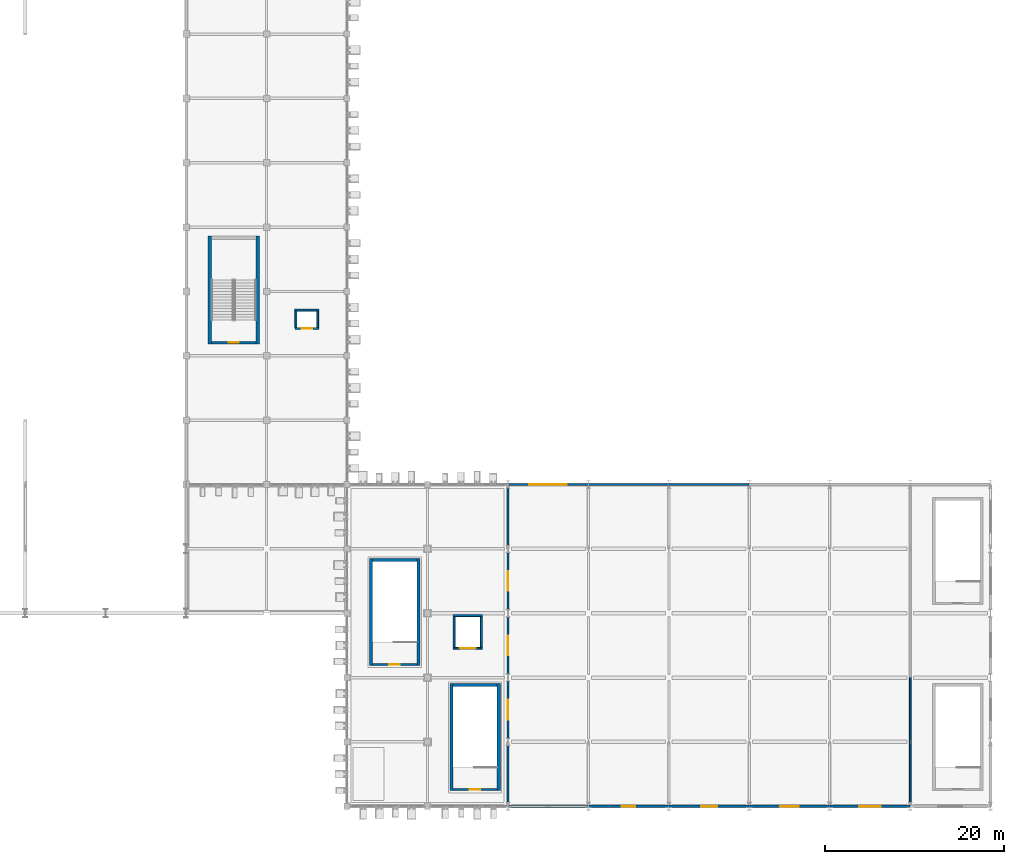
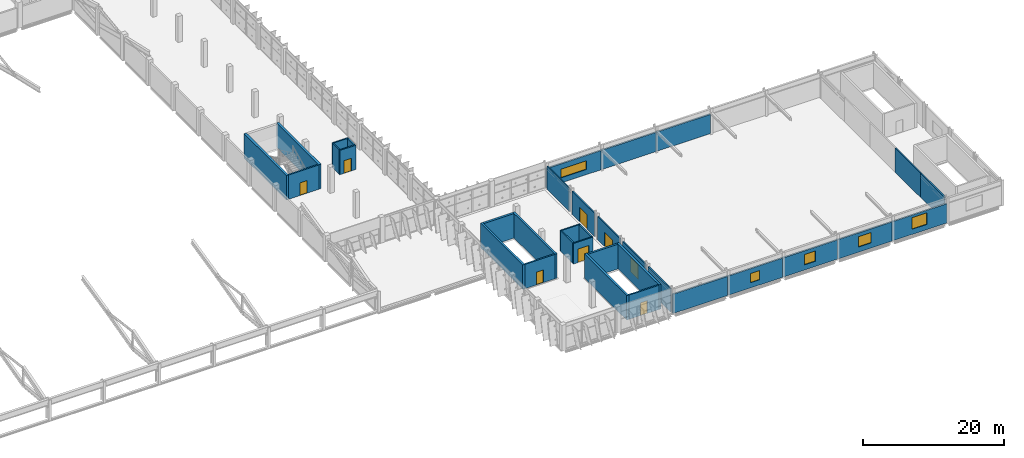
# One storey, part 112 of 151: 34 walls, 8 doors, 5 windows, 13 openings.
"""IFC4 building model written with IfcOpenShell, lengths in metres."""

from ifc_helpers import new_model, si_unit, direction, frame, frame_2d, origin, place, context, subcontext, project, spatial, rectangle, extrude, material, layer, layer_set, type_object, element, fill, save


model = new_model("IFC4")

# Units and contexts
model_context = context("Model", 3, precision=1e-05, world=origin(), true_north=direction((0.0, 1.0)))
body_context = subcontext(model_context, "Body", "Model", "MODEL_VIEW")
ifc_project = project(units=[si_unit("LENGTHUNIT", "METRE"), si_unit("AREAUNIT", "SQUARE_METRE"), si_unit("VOLUMEUNIT", "CUBIC_METRE"), si_unit("PLANEANGLEUNIT", "RADIAN"), si_unit("MASSUNIT", "GRAM", prefix="KILO")], contexts=[model_context])

# Site, building, storey
site_placement = place(None, origin())
site = spatial("IfcSite", under=ifc_project, at=site_placement, CompositionType="ELEMENT")
building_placement = place(site_placement, origin())
building = spatial("IfcBuilding", under=site, at=building_placement, Name="Celestram Park Convention Centre", CompositionType="ELEMENT")
storey_placement = place(building_placement, frame((0.0, 0.0, 10.800048828125)))
storey = spatial("IfcBuildingStorey", under=building, at=storey_placement, Name="L02", CompositionType="ELEMENT", Elevation=10.800048828125)

# Wall
ifc_material_1 = material(Name="Double-Stud Acoustic Gypsum Assembly", Category="gypsum")
ifc_layer_1 = layer(ifc_material_1, 0.199951171875)
ifc_layer_set_1 = layer_set([ifc_layer_1], Name="Double-Stud Acoustic Gypsum Assembly")
wall_type_1 = type_object("IfcWallType", Name="ARC-WL-ACO200", PredefinedType="PARTITIONING", material=ifc_layer_set_1)
wall_1_placement = place(storey_placement, frame((162.0, 0.426025390625, 0.0), z_axis=(0.0, 0.0, 1.0), x_axis=(0.0, 1.0, 0.0)))
element("IfcWall", 1, at=wall_1_placement, inside=storey, type_object=wall_type_1, Name="Interior partition WL-L02-IN0857", PredefinedType="PARTITIONING", context=body_context, shape_type="SweptSolid", body=[
    extrude(rectangle(XDim=6.347900390625, YDim=0.199951171875, at=frame_2d((3.173828125, 0.0))), origin(), (0.0, 0.0, 1.0), 4.010009765625),
])

# Wall, opening, door
wall_2_placement = place(storey_placement, frame((162.0, 7.6259765625, 0.0), z_axis=(0.0, 0.0, 1.0), x_axis=(0.0, 1.0, 0.0)))
wall_2 = element("IfcWall", 2, at=wall_2_placement, inside=storey, type_object=wall_type_1, Name="Interior partition WL-L02-IN0858", PredefinedType="PARTITIONING", context=body_context, shape_type="SweptSolid", body=[
    extrude(rectangle(XDim=6.34814453125, YDim=0.199951171875, at=frame_2d((3.174072265625, 0.0))), origin(), (0.0, 0.0, 1.0), 4.010009765625),
])
opening_1_placement = place(wall_2_placement, frame((2.073974609375, 0.0, 0.0)))
opening_1 = element("IfcOpeningElement", 3, at=opening_1_placement, cuts=wall_2, Name="Opening D-02", PredefinedType="OPENING", context=body_context, shape_type="SweptSolid", body=[
    extrude(rectangle(XDim=2.199951171875, YDim=2.5, at=frame_2d((1.10009765625, 1.25))), frame((0.0, 0.10986328125, 0.0), z_axis=(0.0, -1.0, 0.0), x_axis=(1.0, 0.0, 0.0)), (0.0, 0.0, 1.0), 0.219970703125),
])
ifc_material_2 = material(Name="Bronze-Clad Acoustic Ballroom Portal", Category="aluminium")
door_type_1 = type_object("IfcDoorType", Name="ARC-DR-BAL220", OperationType="NOTDEFINED", PredefinedType="DOOR", material=ifc_material_2)
door_1_placement = place(opening_1_placement, origin())
door_1 = element("IfcDoor", 4, at=door_1_placement, inside=storey, type_object=door_type_1, Name="Celestram Grand Ballroom entrance door", OperationType="DOUBLE_DOOR_SINGLE_SWING", OverallHeight=2.5, OverallWidth=2.199951171875, PredefinedType="DOOR", context=body_context, shape_type="SweptSolid", body=[
    extrude(rectangle(XDim=2.199951171875, YDim=2.5, at=frame_2d((1.10009765625, 1.25))), frame((0.0, 0.02490234375, 0.0), z_axis=(0.0, -1.0, 0.0), x_axis=(1.0, 0.0, 0.0)), (0.0, 0.0, 1.0), 0.050048828125),
])
fill(opening_1, door_1)

wall_3_placement = place(storey_placement, frame((162.0, 14.825927734375, 0.0), z_axis=(0.0, 0.0, 1.0), x_axis=(0.0, 1.0, 0.0)))
wall_3 = element("IfcWall", 5, at=wall_3_placement, inside=storey, type_object=wall_type_1, Name="Interior partition WL-L02-IN0859", PredefinedType="PARTITIONING", context=body_context, shape_type="SweptSolid", body=[
    extrude(rectangle(XDim=6.34814453125, YDim=0.199951171875, at=frame_2d((3.174072265625, 0.0))), origin(), (0.0, 0.0, 1.0), 4.010009765625),
])
opening_2_placement = place(wall_3_placement, frame((2.073974609375, 0.0, 0.0)))
opening_2 = element("IfcOpeningElement", 6, at=opening_2_placement, cuts=wall_3, Name="Opening D-02", PredefinedType="OPENING", context=body_context, shape_type="SweptSolid", body=[
    extrude(rectangle(XDim=2.199951171875, YDim=2.5, at=frame_2d((1.10009765625, 1.25))), frame((0.0, 0.10986328125, 0.0), z_axis=(0.0, -1.0, 0.0), x_axis=(1.0, 0.0, 0.0)), (0.0, 0.0, 1.0), 0.219970703125),
])
door_2_placement = place(opening_2_placement, origin())
door_2 = element("IfcDoor", 7, at=door_2_placement, inside=storey, type_object=door_type_1, Name="Celestram Grand Ballroom entrance door", OperationType="DOUBLE_DOOR_SINGLE_SWING", OverallHeight=2.5, OverallWidth=2.199951171875, PredefinedType="DOOR", context=body_context, shape_type="SweptSolid", body=[
    extrude(rectangle(XDim=2.199951171875, YDim=2.5, at=frame_2d((1.10009765625, 1.25))), frame((0.0, 0.02490234375, 0.0), z_axis=(0.0, -1.0, 0.0), x_axis=(1.0, 0.0, 0.0)), (0.0, 0.0, 1.0), 0.050048828125),
])
fill(opening_2, door_2)

wall_4_placement = place(storey_placement, frame((162.0, 22.02587890625, 0.0), z_axis=(0.0, 0.0, 1.0), x_axis=(0.0, 1.0, 0.0)))
wall_4 = element("IfcWall", 8, at=wall_4_placement, inside=storey, type_object=wall_type_1, Name="Interior partition WL-L02-IN0860", PredefinedType="PARTITIONING", context=body_context, shape_type="SweptSolid", body=[
    extrude(rectangle(XDim=6.34814453125, YDim=0.199951171875, at=frame_2d((3.174072265625, 0.0))), origin(), (0.0, 0.0, 1.0), 4.010009765625),
])
opening_3_placement = place(wall_4_placement, frame((2.073974609375, 0.0, 0.0)))
opening_3 = element("IfcOpeningElement", 9, at=opening_3_placement, cuts=wall_4, Name="Opening D-02", PredefinedType="OPENING", context=body_context, shape_type="SweptSolid", body=[
    extrude(rectangle(XDim=2.199951171875, YDim=2.5, at=frame_2d((1.10009765625, 1.25))), frame((0.0, 0.10986328125, 0.0), z_axis=(0.0, -1.0, 0.0), x_axis=(1.0, 0.0, 0.0)), (0.0, 0.0, 1.0), 0.219970703125),
])
door_3_placement = place(opening_3_placement, origin())
door_3 = element("IfcDoor", 10, at=door_3_placement, inside=storey, type_object=door_type_1, Name="Celestram Grand Ballroom entrance door", OperationType="DOUBLE_DOOR_SINGLE_SWING", OverallHeight=2.5, OverallWidth=2.199951171875, PredefinedType="DOOR", context=body_context, shape_type="SweptSolid", body=[
    extrude(rectangle(XDim=2.199951171875, YDim=2.5, at=frame_2d((1.10009765625, 1.25))), frame((0.0, 0.02490234375, 0.0), z_axis=(0.0, -1.0, 0.0), x_axis=(1.0, 0.0, 0.0)), (0.0, 0.0, 1.0), 0.050048828125),
])
fill(opening_3, door_3)

# Walls
wall_5_placement = place(storey_placement, frame((162.0, 29.22607421875, 0.0), z_axis=(0.0, 0.0, 1.0), x_axis=(0.0, 1.0, 0.0)))
element("IfcWall", 11, at=wall_5_placement, inside=storey, type_object=wall_type_1, Name="Interior partition WL-L02-IN0861", PredefinedType="PARTITIONING", context=body_context, shape_type="SweptSolid", body=[
    extrude(rectangle(XDim=6.347900390625, YDim=0.199951171875, at=frame_2d((3.173828125, 0.0))), origin(), (0.0, 0.0, 1.0), 4.010009765625),
])
wall_6_placement = place(storey_placement, frame((207.0, 0.426025390625, 0.0), z_axis=(0.0, 0.0, 1.0), x_axis=(0.0, 1.0, 0.0)))
element("IfcWall", 12, at=wall_6_placement, inside=storey, type_object=wall_type_1, Name="Interior partition WL-L02-IN0868", PredefinedType="PARTITIONING", context=body_context, shape_type="SweptSolid", body=[
    extrude(rectangle(XDim=6.77392578125, YDim=0.199951171875, at=frame_2d((3.386962890625, 0.0))), origin(), (0.0, 0.0, 1.0), 4.219970703125),
])
wall_7_placement = place(storey_placement, frame((207.0, 7.199951171875, 0.0), z_axis=(0.0, 0.0, 1.0), x_axis=(0.0, 1.0, 0.0)))
element("IfcWall", 13, at=wall_7_placement, inside=storey, type_object=wall_type_1, Name="Interior partition WL-L02-IN0869", PredefinedType="PARTITIONING", context=body_context, shape_type="SweptSolid", body=[
    extrude(rectangle(XDim=7.199951171875, YDim=0.199951171875, at=frame_2d((3.60009765625, 0.0))), origin(), (0.0, 0.0, 1.0), 4.219970703125),
])

# Wall, opening, door
ifc_material_3 = material(Name="Concrete Block Masonry C25/30", Category="masonry")
ifc_layer_2 = layer(ifc_material_3, 0.25)
ifc_layer_set_2 = layer_set([ifc_layer_2], Name="Concrete Block Masonry C25/30")
wall_type_2 = type_object("IfcWallType", Name="ARC-WL-COR250", PredefinedType="STANDARD", material=ifc_layer_set_2)
wall_8_placement = place(storey_placement, frame((128.840087890625, 51.875, 0.0), z_axis=(0.0, 0.0, 1.0), x_axis=(1.0, 0.0, 0.0)))
wall_8 = element("IfcWall", 14, at=wall_8_placement, inside=storey, type_object=wall_type_2, Name="Core C4 stair entrance wall", PredefinedType="STANDARD", context=body_context, shape_type="SweptSolid", body=[
    extrude(rectangle(XDim=4.9599609375, YDim=0.25, at=frame_2d((2.47998046875, 0.0))), origin(), (0.0, 0.0, 1.0), 4.219970703125),
])
opening_4_placement = place(wall_8_placement, frame((1.905029296875, 0.0, 0.0)))
opening_4 = element("IfcOpeningElement", 15, at=opening_4_placement, cuts=wall_8, Name="Opening D-ST1", PredefinedType="OPENING", context=body_context, shape_type="SweptSolid", body=[
    extrude(rectangle(XDim=1.14990234375, YDim=2.199951171875, at=frame_2d((0.574951171875, 1.10009765625))), frame((0.0, 0.135009765625, 0.0), z_axis=(0.0, -1.0, 0.0), x_axis=(1.0, 0.0, 0.0)), (0.0, 0.0, 1.0), 0.27001953125),
])
ifc_material_4 = material(Name="Fire-Rated Hollow Metal Steel ASTM A653", Category="steel")
door_type_2 = type_object("IfcDoorType", Name="ARC-DR-ST115", OperationType="NOTDEFINED", PredefinedType="DOOR", material=ifc_material_4)
door_4_placement = place(opening_4_placement, origin())
door_4 = element("IfcDoor", 16, at=door_4_placement, inside=storey, type_object=door_type_2, Name="Exit stair ST-04 fire door", OperationType="SINGLE_SWING_RIGHT", OverallHeight=2.199951171875, OverallWidth=1.14990234375, PredefinedType="DOOR", context=body_context, shape_type="SweptSolid", body=[
    extrude(rectangle(XDim=1.14990234375, YDim=2.199951171875, at=frame_2d((0.574951171875, 1.10009765625))), frame((0.0, 0.02490234375, 0.0), z_axis=(0.0, -1.0, 0.0), x_axis=(1.0, 0.0, 0.0)), (0.0, 0.0, 1.0), 0.050048828125),
])
fill(opening_4, door_4)

wall_9_placement = place(storey_placement, frame((146.840087890625, 15.875, 0.0), z_axis=(0.0, 0.0, 1.0), x_axis=(1.0, 0.0, 0.0)))
wall_9 = element("IfcWall", 17, at=wall_9_placement, inside=storey, type_object=wall_type_2, Name="Core C6 stair entrance wall", PredefinedType="STANDARD", context=body_context, shape_type="SweptSolid", body=[
    extrude(rectangle(XDim=4.9599609375, YDim=0.25, at=frame_2d((2.47998046875, 0.0))), origin(), (0.0, 0.0, 1.0), 4.219970703125),
])
opening_5_placement = place(wall_9_placement, frame((1.905029296875, 0.0, 0.0)))
opening_5 = element("IfcOpeningElement", 18, at=opening_5_placement, cuts=wall_9, Name="Opening D-ST1", PredefinedType="OPENING", context=body_context, shape_type="SweptSolid", body=[
    extrude(rectangle(XDim=1.14990234375, YDim=2.199951171875, at=frame_2d((0.574951171875, 1.10009765625))), frame((0.0, 0.135009765625, 0.0), z_axis=(0.0, -1.0, 0.0), x_axis=(1.0, 0.0, 0.0)), (0.0, 0.0, 1.0), 0.27001953125),
])
door_5_placement = place(opening_5_placement, origin())
door_5 = element("IfcDoor", 19, at=door_5_placement, inside=storey, type_object=door_type_2, Name="Exit stair ST-06 fire door", OperationType="SINGLE_SWING_RIGHT", OverallHeight=2.199951171875, OverallWidth=1.14990234375, PredefinedType="DOOR", context=body_context, shape_type="SweptSolid", body=[
    extrude(rectangle(XDim=1.14990234375, YDim=2.199951171875, at=frame_2d((0.574951171875, 1.10009765625))), frame((0.0, 0.02490234375, 0.0), z_axis=(0.0, -1.0, 0.0), x_axis=(1.0, 0.0, 0.0)), (0.0, 0.0, 1.0), 0.050048828125),
])
fill(opening_5, door_5)

wall_10_placement = place(storey_placement, frame((155.840087890625, 1.875, 0.0), z_axis=(0.0, 0.0, 1.0), x_axis=(1.0, 0.0, 0.0)))
wall_10 = element("IfcWall", 20, at=wall_10_placement, inside=storey, type_object=wall_type_2, Name="Core S21 stair entrance wall", PredefinedType="STANDARD", context=body_context, shape_type="SweptSolid", body=[
    extrude(rectangle(XDim=4.9599609375, YDim=0.25, at=frame_2d((2.47998046875, 0.0))), origin(), (0.0, 0.0, 1.0), 4.219970703125),
])
opening_6_placement = place(wall_10_placement, frame((1.905029296875, 0.0, 0.0)))
opening_6 = element("IfcOpeningElement", 21, at=opening_6_placement, cuts=wall_10, Name="Opening D-ST1", PredefinedType="OPENING", context=body_context, shape_type="SweptSolid", body=[
    extrude(rectangle(XDim=1.14990234375, YDim=2.199951171875, at=frame_2d((0.574951171875, 1.10009765625))), frame((0.0, 0.135009765625, 0.0), z_axis=(0.0, -1.0, 0.0), x_axis=(1.0, 0.0, 0.0)), (0.0, 0.0, 1.0), 0.27001953125),
])
door_6_placement = place(opening_6_placement, origin())
door_6 = element("IfcDoor", 22, at=door_6_placement, inside=storey, type_object=door_type_2, Name="Exit stair ST-21 fire door", OperationType="SINGLE_SWING_RIGHT", OverallHeight=2.199951171875, OverallWidth=1.14990234375, PredefinedType="DOOR", context=body_context, shape_type="SweptSolid", body=[
    extrude(rectangle(XDim=1.14990234375, YDim=2.199951171875, at=frame_2d((0.574951171875, 1.10009765625))), frame((0.0, 0.02490234375, 0.0), z_axis=(0.0, -1.0, 0.0), x_axis=(1.0, 0.0, 0.0)), (0.0, 0.0, 1.0), 0.050048828125),
])
fill(opening_6, door_6)

# Wall, opening, window
ifc_material_5 = material(Name="Precast Concrete C40/50", Category="concrete")
ifc_layer_3 = layer(ifc_material_5, 0.260009765625)
ifc_layer_set_3 = layer_set([ifc_layer_3], Name="Precast Concrete C40/50")
wall_type_3 = type_object("IfcWallType", Name="ARC-WL-EXT260", PredefinedType="STANDARD", material=ifc_layer_set_3)
wall_11_placement = place(storey_placement, frame((206.992919921875, 0.0, 0.0), z_axis=(0.0, 0.0, 1.0), x_axis=(-1.0, 0.0, 0.0)))
wall_11 = element("IfcWall", 23, at=wall_11_placement, inside=storey, type_object=wall_type_3, Name="Bush-hammered precast exterior wall WL-L02-EW122", PredefinedType="STANDARD", context=body_context, shape_type="SweptSolid", body=[
    extrude(rectangle(XDim=8.98583984375, YDim=0.260009765625, at=frame_2d((4.492919921875, 0.0))), origin(), (0.0, 0.0, 1.0), 3.3359375),
])
opening_7_placement = place(wall_11_placement, frame((3.29296875, 0.0, 0.89990234375)))
opening_7 = element("IfcOpeningElement", 24, at=opening_7_placement, cuts=wall_11, Name="Opening W-04", PredefinedType="OPENING", context=body_context, shape_type="SweptSolid", body=[
    extrude(rectangle(XDim=2.39990234375, YDim=2.0, at=frame_2d((1.199951171875, 1.0))), frame((0.0, 0.139892578125, 0.0), z_axis=(0.0, -1.0, 0.0), x_axis=(1.0, 0.0, 0.0)), (0.0, 0.0, 1.0), 0.280029296875),
])
ifc_material_6 = material(Name="Thermally Broken Aluminium & Triple Glazing", Category="aluminium")
window_type_1 = type_object("IfcWindowType", Name="ARC-WN-240X200", PartitioningType="SINGLE_PANEL", PredefinedType="WINDOW", material=ifc_material_6)
window_1_placement = place(opening_7_placement, origin())
window_1 = element("IfcWindow", 25, at=window_1_placement, inside=storey, type_object=window_type_1, Name="Punched exterior window WN-L02-036", OverallHeight=2.0, OverallWidth=2.39990234375, PartitioningType="SINGLE_PANEL", PredefinedType="WINDOW", context=body_context, shape_type="SweptSolid", body=[
    extrude(rectangle(XDim=2.39990234375, YDim=2.0, at=frame_2d((1.199951171875, 1.0))), frame((0.0, 0.030029296875, 0.0), z_axis=(0.0, -1.0, 0.0), x_axis=(1.0, 0.0, 0.0)), (0.0, 0.0, 1.0), 0.06005859375),
])
fill(opening_7, window_1)

wall_12_placement = place(storey_placement, frame((197.992919921875, 0.0, 0.0), z_axis=(0.0, 0.0, 1.0), x_axis=(-1.0, 0.0, 0.0)))
wall_12 = element("IfcWall", 26, at=wall_12_placement, inside=storey, type_object=wall_type_3, Name="Bush-hammered precast exterior wall WL-L02-EW123", PredefinedType="STANDARD", context=body_context, shape_type="SweptSolid", body=[
    extrude(rectangle(XDim=8.98583984375, YDim=0.260009765625, at=frame_2d((4.492919921875, 0.0))), origin(), (0.0, 0.0, 1.0), 3.3359375),
])
opening_8_placement = place(wall_12_placement, frame((3.44287109375, 0.0, 0.89990234375)))
opening_8 = element("IfcOpeningElement", 27, at=opening_8_placement, cuts=wall_12, Name="Opening W-05", PredefinedType="OPENING", context=body_context, shape_type="SweptSolid", body=[
    extrude(rectangle(XDim=2.10009765625, YDim=1.800048828125, at=frame_2d((1.050048828125, 0.89990234375))), frame((0.0, 0.139892578125, 0.0), z_axis=(0.0, -1.0, 0.0), x_axis=(1.0, 0.0, 0.0)), (0.0, 0.0, 1.0), 0.280029296875),
])
window_type_2 = type_object("IfcWindowType", Name="ARC-WN-210X180", PartitioningType="SINGLE_PANEL", PredefinedType="WINDOW", material=ifc_material_6)
window_2_placement = place(opening_8_placement, origin())
window_2 = element("IfcWindow", 28, at=window_2_placement, inside=storey, type_object=window_type_2, Name="Punched exterior window WN-L02-037", OverallHeight=1.800048828125, OverallWidth=2.10009765625, PartitioningType="SINGLE_PANEL", PredefinedType="WINDOW", context=body_context, shape_type="SweptSolid", body=[
    extrude(rectangle(XDim=2.10009765625, YDim=1.800048828125, at=frame_2d((1.050048828125, 0.89990234375))), frame((0.0, 0.030029296875, 0.0), z_axis=(0.0, -1.0, 0.0), x_axis=(1.0, 0.0, 0.0)), (0.0, 0.0, 1.0), 0.06005859375),
])
fill(opening_8, window_2)

wall_13_placement = place(storey_placement, frame((188.992919921875, 0.0, 0.0), z_axis=(0.0, 0.0, 1.0), x_axis=(-1.0, 0.0, 0.0)))
wall_13 = element("IfcWall", 29, at=wall_13_placement, inside=storey, type_object=wall_type_3, Name="Bush-hammered precast exterior wall WL-L02-EW124", PredefinedType="STANDARD", context=body_context, shape_type="SweptSolid", body=[
    extrude(rectangle(XDim=8.98583984375, YDim=0.260009765625, at=frame_2d((4.492919921875, 0.0))), origin(), (0.0, 0.0, 1.0), 3.3359375),
])
opening_9_placement = place(wall_13_placement, frame((3.593017578125, 0.0, 0.89990234375)))
opening_9 = element("IfcOpeningElement", 30, at=opening_9_placement, cuts=wall_13, Name="Opening W-06", PredefinedType="OPENING", context=body_context, shape_type="SweptSolid", body=[
    extrude(rectangle(XDim=1.800048828125, YDim=1.800048828125, at=frame_2d((0.89990234375, 0.89990234375))), frame((0.0, 0.139892578125, 0.0), z_axis=(0.0, -1.0, 0.0), x_axis=(1.0, 0.0, 0.0)), (0.0, 0.0, 1.0), 0.280029296875),
])
window_type_3 = type_object("IfcWindowType", Name="ARC-WN-180X180", PartitioningType="SINGLE_PANEL", PredefinedType="WINDOW", material=ifc_material_6)
window_3_placement = place(opening_9_placement, origin())
window_3 = element("IfcWindow", 31, at=window_3_placement, inside=storey, type_object=window_type_3, Name="Punched exterior window WN-L02-038", OverallHeight=1.800048828125, OverallWidth=1.800048828125, PartitioningType="SINGLE_PANEL", PredefinedType="WINDOW", context=body_context, shape_type="SweptSolid", body=[
    extrude(rectangle(XDim=1.800048828125, YDim=1.800048828125, at=frame_2d((0.89990234375, 0.89990234375))), frame((0.0, 0.030029296875, 0.0), z_axis=(0.0, -1.0, 0.0), x_axis=(1.0, 0.0, 0.0)), (0.0, 0.0, 1.0), 0.06005859375),
])
fill(opening_9, window_3)

wall_14_placement = place(storey_placement, frame((179.992919921875, 0.0, 0.0), z_axis=(0.0, 0.0, 1.0), x_axis=(-1.0, 0.0, 0.0)))
wall_14 = element("IfcWall", 32, at=wall_14_placement, inside=storey, type_object=wall_type_3, Name="Bush-hammered precast exterior wall WL-L02-EW125", PredefinedType="STANDARD", context=body_context, shape_type="SweptSolid", body=[
    extrude(rectangle(XDim=8.98583984375, YDim=0.260009765625, at=frame_2d((4.492919921875, 0.0))), origin(), (0.0, 0.0, 1.0), 3.3359375),
])
opening_10_placement = place(wall_14_placement, frame((3.742919921875, 0.0, 0.89990234375)))
opening_10 = element("IfcOpeningElement", 33, at=opening_10_placement, cuts=wall_14, Name="Opening W-07", PredefinedType="OPENING", context=body_context, shape_type="SweptSolid", body=[
    extrude(rectangle(XDim=1.5, YDim=1.60009765625, at=frame_2d((0.75, 0.800048828125))), frame((0.0, 0.139892578125, 0.0), z_axis=(0.0, -1.0, 0.0), x_axis=(1.0, 0.0, 0.0)), (0.0, 0.0, 1.0), 0.280029296875),
])
window_type_4 = type_object("IfcWindowType", Name="ARC-WN-150X160", PartitioningType="SINGLE_PANEL", PredefinedType="WINDOW", material=ifc_material_6)
window_4_placement = place(opening_10_placement, origin())
window_4 = element("IfcWindow", 34, at=window_4_placement, inside=storey, type_object=window_type_4, Name="Punched exterior window WN-L02-039", OverallHeight=1.60009765625, OverallWidth=1.5, PartitioningType="SINGLE_PANEL", PredefinedType="WINDOW", context=body_context, shape_type="SweptSolid", body=[
    extrude(rectangle(XDim=1.5, YDim=1.60009765625, at=frame_2d((0.75, 0.800048828125))), frame((0.0, 0.030029296875, 0.0), z_axis=(0.0, -1.0, 0.0), x_axis=(1.0, 0.0, 0.0)), (0.0, 0.0, 1.0), 0.06005859375),
])
fill(opening_10, window_4)

# Wall
wall_15_placement = place(storey_placement, frame((170.992919921875, 0.0, 0.0), z_axis=(0.0, 0.0, 1.0), x_axis=(-1.0, 0.0, 0.0)))
element("IfcWall", 35, at=wall_15_placement, inside=storey, type_object=wall_type_3, Name="Bush-hammered precast exterior wall WL-L02-EW126", PredefinedType="STANDARD", context=body_context, shape_type="SweptSolid", body=[
    extrude(rectangle(XDim=8.98583984375, YDim=0.260009765625, at=frame_2d((4.492919921875, 0.0))), origin(), (0.0, 0.0, 1.0), 3.3359375),
])

# Wall, opening, window
wall_16_placement = place(storey_placement, frame((162.007080078125, 36.0, 0.0), z_axis=(0.0, 0.0, 1.0), x_axis=(1.0, 0.0, 0.0)))
wall_16 = element("IfcWall", 36, at=wall_16_placement, inside=storey, type_object=wall_type_3, Name="Bush-hammered precast exterior wall WL-L02-EW127", PredefinedType="STANDARD", context=body_context, shape_type="SweptSolid", body=[
    extrude(rectangle(XDim=8.98583984375, YDim=0.260009765625, at=frame_2d((4.492919921875, 0.0))), origin(), (0.0, 0.0, 1.0), 3.3359375),
])
opening_11_placement = place(wall_16_placement, frame((2.392822265625, 0.0, 0.89990234375)))
opening_11 = element("IfcOpeningElement", 37, at=opening_11_placement, cuts=wall_16, Name="Opening W-08", PredefinedType="OPENING", context=body_context, shape_type="SweptSolid", body=[
    extrude(rectangle(XDim=4.199951171875, YDim=1.5, at=frame_2d((2.10009765625, 0.75))), frame((0.0, 0.139892578125, 0.0), z_axis=(0.0, -1.0, 0.0), x_axis=(1.0, 0.0, 0.0)), (0.0, 0.0, 1.0), 0.280029296875),
])
window_type_5 = type_object("IfcWindowType", Name="ARC-WN-420X150", PartitioningType="SINGLE_PANEL", PredefinedType="WINDOW", material=ifc_material_6)
window_5_placement = place(opening_11_placement, origin())
window_5 = element("IfcWindow", 38, at=window_5_placement, inside=storey, type_object=window_type_5, Name="Punched exterior window WN-L02-040", OverallHeight=1.5, OverallWidth=4.199951171875, PartitioningType="SINGLE_PANEL", PredefinedType="WINDOW", context=body_context, shape_type="SweptSolid", body=[
    extrude(rectangle(XDim=4.199951171875, YDim=1.5, at=frame_2d((2.10009765625, 0.75))), frame((0.0, 0.030029296875, 0.0), z_axis=(0.0, -1.0, 0.0), x_axis=(1.0, 0.0, 0.0)), (0.0, 0.0, 1.0), 0.06005859375),
])
fill(opening_11, window_5)

# Walls
for number, where, z_axis, x_axis, name in (
    (39, (171.007080078125, 36.0, 0.0), (0.0, 0.0, 1.0), (1.0, 0.0, 0.0), "Bush-hammered precast exterior wall WL-L02-EW128"),
    (40, (180.007080078125, 36.0, 0.0), (0.0, 0.0, 1.0), (1.0, 0.0, 0.0), "Bush-hammered precast exterior wall WL-L02-EW129"),
):
    element("IfcWall", number, at=place(storey_placement, frame(where, z_axis=z_axis, x_axis=x_axis)), inside=storey, type_object=wall_type_3, Name=name, PredefinedType="STANDARD", context=body_context, shape_type="SweptSolid", body=[
        extrude(rectangle(XDim=8.98583984375, YDim=0.260009765625, at=frame_2d((4.492919921875, 0.0))), origin(), (0.0, 0.0, 1.0), 3.3359375),
    ])

# Wall, opening, door
ifc_layer_4 = layer(ifc_material_3, 0.219970703125)
ifc_layer_set_4 = layer_set([ifc_layer_4], Name="Concrete Block Masonry C25/30")
wall_type_4 = type_object("IfcWallType", Name="ARC-WL-SHF220", PredefinedType="STANDARD", material=ifc_layer_set_4)
wall_17_placement = place(storey_placement, frame((138.169921875, 53.47998046875, 0.0), z_axis=(0.0, 0.0, 1.0), x_axis=(1.0, 0.0, 0.0)))
wall_17 = element("IfcWall", 41, at=wall_17_placement, inside=storey, type_object=wall_type_4, Name="Lift LP-05 shaft wall S", PredefinedType="STANDARD", context=body_context, shape_type="SweptSolid", body=[
    extrude(rectangle(XDim=2.66015625, YDim=0.219970703125, at=frame_2d((1.330078125, 0.0))), origin(), (0.0, 0.0, 1.0), 4.219970703125),
])
opening_12_placement = place(wall_17_placement, frame((0.72998046875, 0.0, 0.0)))
opening_12 = element("IfcOpeningElement", 42, at=opening_12_placement, cuts=wall_17, Name="Opening LD-01", PredefinedType="OPENING", context=body_context, shape_type="SweptSolid", body=[
    extrude(rectangle(XDim=1.199951171875, YDim=2.199951171875, at=frame_2d((0.60009765625, 1.10009765625))), frame((0.0, 0.119873046875, 0.0), z_axis=(0.0, -1.0, 0.0), x_axis=(1.0, 0.0, 0.0)), (0.0, 0.0, 1.0), 0.239990234375),
])
ifc_material_7 = material(Name="Brushed Stainless Steel AISI 304", Category="steel")
door_type_3 = type_object("IfcDoorType", Name="ARC-DR-LFT120", OperationType="NOTDEFINED", PredefinedType="DOOR", material=ifc_material_7)
door_7_placement = place(opening_12_placement, origin())
door_7 = element("IfcDoor", 43, at=door_7_placement, inside=storey, type_object=door_type_3, Name="Lift LP-05 sliding landing door", OperationType="DOUBLE_DOOR_SLIDING", OverallHeight=2.199951171875, OverallWidth=1.199951171875, PredefinedType="DOOR", context=body_context, shape_type="SweptSolid", body=[
    extrude(rectangle(XDim=1.199951171875, YDim=2.199951171875, at=frame_2d((0.60009765625, 1.10009765625))), frame((0.0, 0.02490234375, 0.0), z_axis=(0.0, -1.0, 0.0), x_axis=(1.0, 0.0, 0.0)), (0.0, 0.0, 1.0), 0.050048828125),
])
fill(opening_12, door_7)

# Walls
wall_18_placement = place(storey_placement, frame((140.830078125, 55.52001953125, 0.0), z_axis=(0.0, 0.0, 1.0), x_axis=(-1.0, 0.0, 0.0)))
element("IfcWall", 44, at=wall_18_placement, inside=storey, type_object=wall_type_4, Name="Lift LP-05 shaft wall N", PredefinedType="STANDARD", context=body_context, shape_type="SweptSolid", body=[
    extrude(rectangle(XDim=2.66015625, YDim=0.219970703125, at=frame_2d((1.330078125, 0.0))), origin(), (0.0, 0.0, 1.0), 4.219970703125),
])
for number, where, z_axis, x_axis, name in (
    (45, (138.280029296875, 55.409912109375, 0.0), (0.0, 0.0, 1.0), (0.0, -1.0, 0.0), "Lift LP-05 shaft wall W"),
    (46, (140.719970703125, 53.590087890625, 0.0), (0.0, 0.0, 1.0), (0.0, 1.0, 0.0), "Lift LP-05 shaft wall E"),
):
    element("IfcWall", number, at=place(storey_placement, frame(where, z_axis=z_axis, x_axis=x_axis)), inside=storey, type_object=wall_type_4, Name=name, PredefinedType="STANDARD", context=body_context, shape_type="SweptSolid", body=[
        extrude(rectangle(XDim=1.81982421875, YDim=0.219970703125, at=frame_2d((0.909912109375, 0.0))), origin(), (0.0, 0.0, 1.0), 4.219970703125),
    ])

# Wall, opening, door
wall_19_placement = place(storey_placement, frame((155.8701171875, 17.679931640625, 0.0), z_axis=(0.0, 0.0, 1.0), x_axis=(1.0, 0.0, 0.0)))
wall_19 = element("IfcWall", 47, at=wall_19_placement, inside=storey, type_object=wall_type_4, Name="Lift LG-02 shaft wall S", PredefinedType="STANDARD", context=body_context, shape_type="SweptSolid", body=[
    extrude(rectangle(XDim=3.259765625, YDim=0.219970703125, at=frame_2d((1.6298828125, 0.0))), origin(), (0.0, 0.0, 1.0), 3.576904296875),
])
opening_13_placement = place(wall_19_placement, frame((0.72998046875, 0.0, 0.0)))
opening_13 = element("IfcOpeningElement", 48, at=opening_13_placement, cuts=wall_19, Name="Opening LD-02", PredefinedType="OPENING", context=body_context, shape_type="SweptSolid", body=[
    extrude(rectangle(XDim=1.800048828125, YDim=2.35009765625, at=frame_2d((0.89990234375, 1.175048828125))), frame((0.0, 0.119873046875, 0.0), z_axis=(0.0, -1.0, 0.0), x_axis=(1.0, 0.0, 0.0)), (0.0, 0.0, 1.0), 0.239990234375),
])
ifc_material_8 = material(Name="Heavy-Duty Stainless Steel AISI 304", Category="steel")
door_type_4 = type_object("IfcDoorType", Name="ARC-DR-LFG180", OperationType="NOTDEFINED", PredefinedType="DOOR", material=ifc_material_8)
door_8_placement = place(opening_13_placement, origin())
door_8 = element("IfcDoor", 49, at=door_8_placement, inside=storey, type_object=door_type_4, Name="Lift LG-02 sliding landing door", OperationType="DOUBLE_DOOR_SLIDING", OverallHeight=2.35009765625, OverallWidth=1.800048828125, PredefinedType="DOOR", context=body_context, shape_type="SweptSolid", body=[
    extrude(rectangle(XDim=1.800048828125, YDim=2.35009765625, at=frame_2d((0.89990234375, 1.175048828125))), frame((0.0, 0.02490234375, 0.0), z_axis=(0.0, -1.0, 0.0), x_axis=(1.0, 0.0, 0.0)), (0.0, 0.0, 1.0), 0.050048828125),
])
fill(opening_13, door_8)

# Walls
wall_20_placement = place(storey_placement, frame((159.1298828125, 21.320068359375, 0.0), z_axis=(0.0, 0.0, 1.0), x_axis=(-1.0, 0.0, 0.0)))
element("IfcWall", 50, at=wall_20_placement, inside=storey, type_object=wall_type_4, Name="Lift LG-02 shaft wall N", PredefinedType="STANDARD", context=body_context, shape_type="SweptSolid", body=[
    extrude(rectangle(XDim=3.259765625, YDim=0.219970703125, at=frame_2d((1.6298828125, 0.0))), origin(), (0.0, 0.0, 1.0), 3.576904296875),
])
for number, where, z_axis, x_axis, name in (
    (51, (155.97998046875, 21.2099609375, 0.0), (0.0, 0.0, 1.0), (0.0, -1.0, 0.0), "Lift LG-02 shaft wall W"),
    (52, (159.02001953125, 17.7900390625, 0.0), (0.0, 0.0, 1.0), (0.0, 1.0, 0.0), "Lift LG-02 shaft wall E"),
):
    element("IfcWall", number, at=place(storey_placement, frame(where, z_axis=z_axis, x_axis=x_axis)), inside=storey, type_object=wall_type_4, Name=name, PredefinedType="STANDARD", context=body_context, shape_type="SweptSolid", body=[
        extrude(rectangle(XDim=3.419921875, YDim=0.219970703125, at=frame_2d((1.7099609375, 0.0))), origin(), (0.0, 0.0, 1.0), 3.576904296875),
    ])
ifc_material_9 = material(Name="Concrete C40/50", Category="concrete")
ifc_layer_5 = layer(ifc_material_9, 0.340087890625)
ifc_layer_set_5 = layer_set([ifc_layer_5], Name="Concrete C40/50")
wall_type_5 = type_object("IfcWallType", Name="STR-WL-SHR340", PredefinedType="SHEAR", material=ifc_layer_set_5)
for number, where, z_axis, x_axis, name in (
    (53, (146.669921875, 15.75, 0.0), (0.0, 0.0, 1.0), (0.0, 1.0, 0.0), "Core C6 shear wall L"),
    (54, (151.969970703125, 27.739990234375, 0.0), (0.0, 0.0, 1.0), (0.0, -1.0, 0.0), "Core C6 shear wall R"),
):
    element("IfcWall", number, at=place(storey_placement, frame(where, z_axis=z_axis, x_axis=x_axis)), inside=storey, type_object=wall_type_5, Name=name, PredefinedType="SHEAR", context=body_context, shape_type="SweptSolid", body=[
        extrude(rectangle(XDim=11.989990234375, YDim=0.340087890625, at=frame_2d((5.9951171875, 0.0))), origin(), (0.0, 0.0, 1.0), 4.260009765625),
    ])
wall_21_placement = place(storey_placement, frame((146.840087890625, 27.570068359375, 0.0), z_axis=(0.0, 0.0, 1.0), x_axis=(1.0, 0.0, 0.0)))
element("IfcWall", 55, at=wall_21_placement, inside=storey, type_object=wall_type_5, Name="Core C6 shear wall F", PredefinedType="SHEAR", context=body_context, shape_type="SweptSolid", body=[
    extrude(rectangle(XDim=4.9599609375, YDim=0.340087890625, at=frame_2d((2.47998046875, 0.0))), origin(), (0.0, 0.0, 1.0), 4.260009765625),
])
for number, where, z_axis, x_axis, name in (
    (56, (155.669921875, 1.75, 0.0), (0.0, 0.0, 1.0), (0.0, 1.0, 0.0), "Core S21 shear wall L"),
    (57, (160.969970703125, 13.739990234375, 0.0), (0.0, 0.0, 1.0), (0.0, -1.0, 0.0), "Core S21 shear wall R"),
):
    element("IfcWall", number, at=place(storey_placement, frame(where, z_axis=z_axis, x_axis=x_axis)), inside=storey, type_object=wall_type_5, Name=name, PredefinedType="SHEAR", context=body_context, shape_type="SweptSolid", body=[
        extrude(rectangle(XDim=11.989990234375, YDim=0.340087890625, at=frame_2d((5.9951171875, 0.0))), origin(), (0.0, 0.0, 1.0), 4.260009765625),
    ])
wall_22_placement = place(storey_placement, frame((155.840087890625, 13.570068359375, 0.0), z_axis=(0.0, 0.0, 1.0), x_axis=(1.0, 0.0, 0.0)))
element("IfcWall", 58, at=wall_22_placement, inside=storey, type_object=wall_type_5, Name="Core S21 shear wall F", PredefinedType="SHEAR", context=body_context, shape_type="SweptSolid", body=[
    extrude(rectangle(XDim=4.9599609375, YDim=0.340087890625, at=frame_2d((2.47998046875, 0.0))), origin(), (0.0, 0.0, 1.0), 4.260009765625),
])
ifc_layer_6 = layer(ifc_material_9, 0.3798828125)
ifc_layer_set_6 = layer_set([ifc_layer_6], Name="Concrete C40/50")
wall_type_6 = type_object("IfcWallType", Name="STR-WL-SHR380", PredefinedType="SHEAR", material=ifc_layer_set_6)
for number, where, z_axis, x_axis, name in (
    (59, (128.64990234375, 51.75, 0.0), (0.0, 0.0, 1.0), (0.0, 1.0, 0.0), "Core C4 shear wall L"),
    (60, (133.989990234375, 63.780029296875, 0.0), (0.0, 0.0, 1.0), (0.0, -1.0, 0.0), "Core C4 shear wall R"),
):
    element("IfcWall", number, at=place(storey_placement, frame(where, z_axis=z_axis, x_axis=x_axis)), inside=storey, type_object=wall_type_6, Name=name, PredefinedType="SHEAR", context=body_context, shape_type="SweptSolid", body=[
        extrude(rectangle(XDim=12.030029296875, YDim=0.3798828125, at=frame_2d((6.01513671875, 0.0))), origin(), (0.0, 0.0, 1.0), 4.25),
    ])

save(model, "model.ifc")
